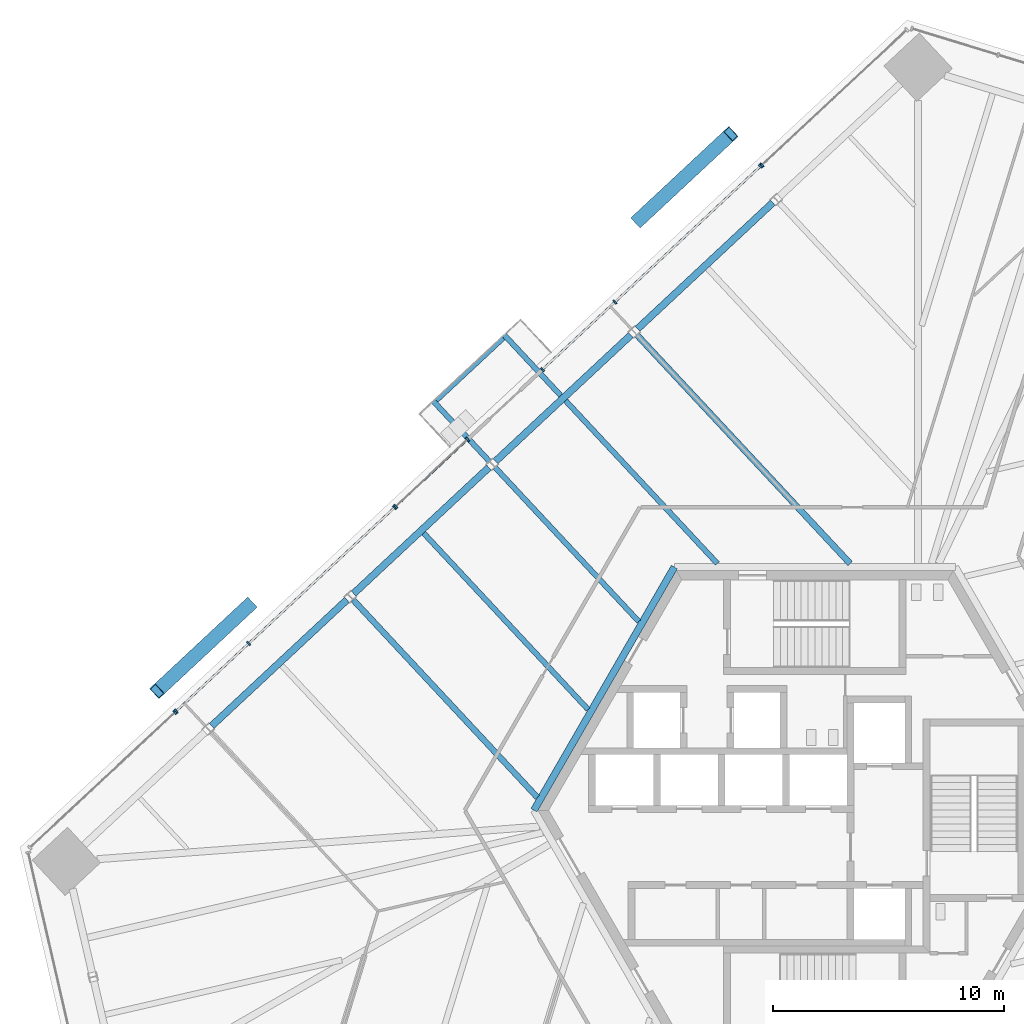
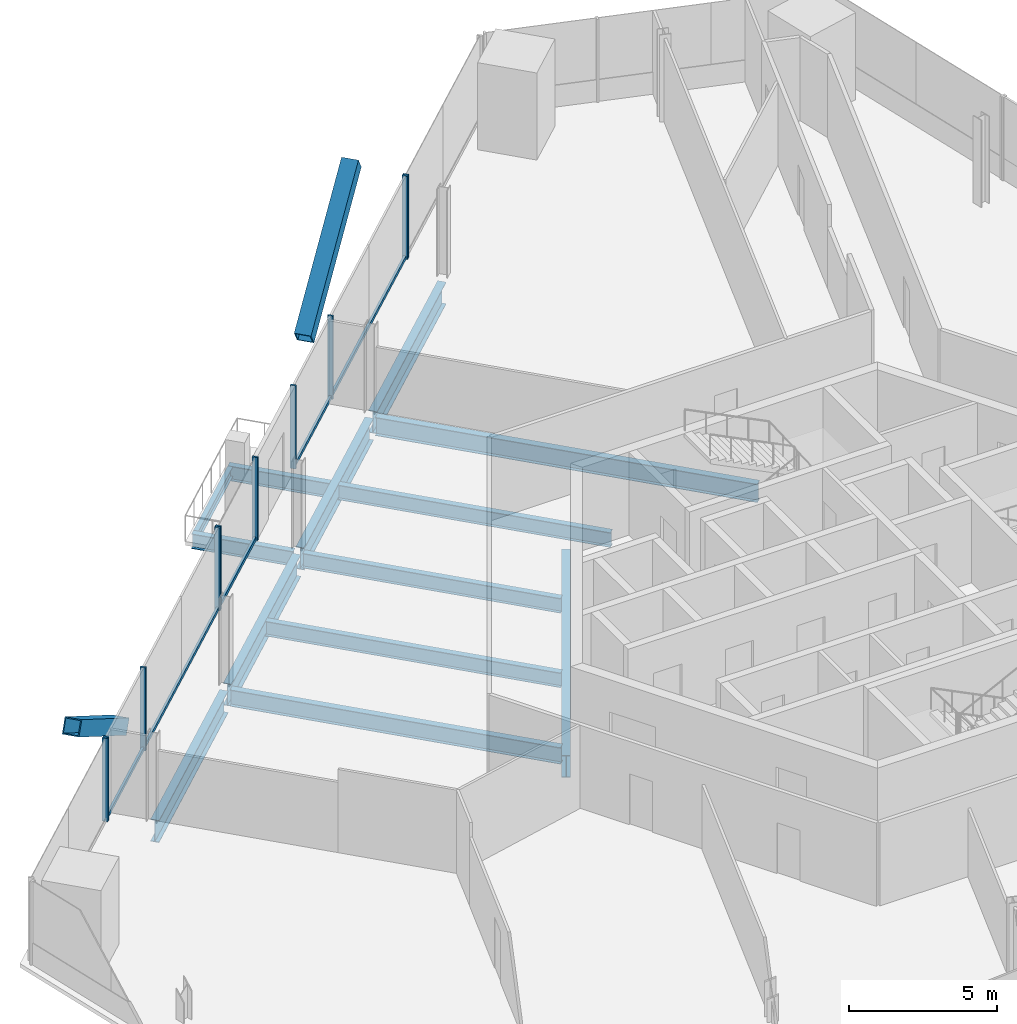
# One storey, part 7 of 17: 17 members, 13 beams, 5 elements without a shape of their own.
"""IFC4 building model written with IfcOpenShell, lengths in metres."""

from ifc_helpers import new_model, si_unit, direction, frame, origin, origin_2d, place, context, subcontext, project, spatial, rectangle, hollow_rectangle, i_section, extrude, source, transform, mapped, material, material_profile, profile_set, type_object, element, aggregate, save


model = new_model("IFC4")

# Units and contexts
model_context = context("Model", 3, precision=1e-05, world=origin(), true_north=direction((0.0, 1.0)))
body_context = subcontext(model_context, "Body", "Model", "MODEL_VIEW")
ifc_project = project(units=[si_unit("LENGTHUNIT", "METRE"), si_unit("AREAUNIT", "SQUARE_METRE"), si_unit("VOLUMEUNIT", "CUBIC_METRE"), si_unit("PLANEANGLEUNIT", "RADIAN"), si_unit("MASSUNIT", "GRAM", prefix="KILO")], contexts=[model_context])

# Site, building, storey
site_placement = place(None, origin())
site = spatial("IfcSite", under=ifc_project, at=site_placement, CompositionType="ELEMENT")
building_placement = place(site_placement, origin())
building = spatial("IfcBuilding", under=site, at=building_placement, Name="Triune Harvest Tower", CompositionType="ELEMENT")
storey_placement = place(building_placement, frame((0.0, 0.0, 123.5)))
storey = spatial("IfcBuildingStorey", under=building, at=storey_placement, Name="L31", CompositionType="ELEMENT", Elevation=123.5)

# Curtain wall, member
ifc_material_1 = material(Name="Aluminium bronze anodised", Category="aluminium")
curtain_wall_type_1 = type_object("IfcCurtainWallType", Name="CW-10 Balcony window wall with insulated spandrel infill", PredefinedType="NOTDEFINED", material=ifc_material_1)
curtain_wall_1_placement = place(storey_placement, origin())
curtain_wall_1 = element("IfcCurtainWall", 1, at=curtain_wall_1_placement, inside=storey, type_object=curtain_wall_type_1, Name="CW-10 B3-F3 L31 run 1001")
ifc_material_2 = material(Name="Aluminium bronze anodised", Category="aluminium")
ifc_material_profile_1 = material_profile(ifc_material_2, rectangle(XDim=0.090087890625, YDim=0.14990234375, at=origin_2d()), Name="TR-6 transom 90 x 150")
ifc_profile_set_1 = profile_set([ifc_material_profile_1], Name="Aluminium bronze anodised")
member_type_1 = type_object("IfcMemberType", Name="TR-6 transom 90 x 150", PredefinedType="USERDEFINED", material=ifc_profile_set_1)
member_1_placement = place(storey_placement, frame((-8.693359375, 22.007568359375, 0.074951171875), z_axis=(-0.731362809486, -0.68198859294, 0.0), x_axis=(0.68198859294, -0.731362809486, 0.0)))
member_1 = element("IfcMember", 2, at=member_1_placement, type_object=member_type_1, Name="CW-10 transom B3-F3 1001.2", ObjectType="TRANSOM", PredefinedType="USERDEFINED", context=body_context, shape_type="SweptSolid", body=[
    extrude(rectangle(XDim=0.090087890625, YDim=0.14990234375, at=origin_2d()), origin(), (0.0, 0.0, 1.0), 4.22265625),
])

ifc_material_3 = material(Name="Aluminium bronze anodised", Category="aluminium")
curtain_wall_type_2 = type_object("IfcCurtainWallType", Name="CW-6 Balcony window wall", PredefinedType="NOTDEFINED", material=ifc_material_3)
curtain_wall_2_placement = place(storey_placement, origin())
curtain_wall_2 = element("IfcCurtainWall", 3, at=curtain_wall_2_placement, inside=storey, type_object=curtain_wall_type_2, Name="CW-6 B3-F3 L31 run 2")
member_2_placement = place(storey_placement, frame((-15.0751953125, 16.056396484375, 0.074951171875), z_axis=(-0.731361458069, -0.681990042194, 0.0), x_axis=(0.681990042194, -0.731361458069, 0.0)))
member_2 = element("IfcMember", 4, at=member_2_placement, type_object=member_type_1, Name="CW-6 transom B3-F3 2.1", ObjectType="TRANSOM", PredefinedType="USERDEFINED", context=body_context, shape_type="SweptSolid", body=[
    extrude(rectangle(XDim=0.090087890625, YDim=0.14990234375, at=origin_2d()), origin(), (0.0, 0.0, 1.0), 4.1884765625),
])

# Beams
ifc_material_4 = material(Name="Steel ASTM A992 Gr 50", Category="steel")
ifc_material_profile_2 = material_profile(ifc_material_4, i_section(OverallWidth=0.3046875, OverallDepth=0.914306640625, WebThickness=0.0166015625, FlangeThickness=0.02587890625, at=origin_2d()), Name="W36x160")
ifc_profile_set_2 = profile_set([ifc_material_profile_2], Name="Steel ASTM A992 Gr 50")
beam_type_1 = type_object("IfcBeamType", Name="CG-1 Core ring girder W36x160", PredefinedType="BEAM", material=ifc_profile_set_2)
shared_shape_1 = source(origin(), body_context, "Body", "SweptSolid", [
    extrude(i_section(OverallWidth=0.3046875, OverallDepth=0.914306640625, WebThickness=0.0166015625, FlangeThickness=0.02587890625, at=origin_2d()), origin(), (0.0, 0.0, 1.0), 12.176025390625),
])
beam_1_placement = place(storey_placement, frame((-6.087890625, 10.544677734375, -0.6171875), z_axis=(-0.5000099932, -0.866019634131, 0.0), x_axis=(0.866019634131, -0.5000099932, 0.0)))
element("IfcBeam", 5, at=beam_1_placement, inside=storey, type_object=beam_type_1, Name="beam/L31/CG3", PredefinedType="BEAM", context=body_context, shape_type="MappedRepresentation", body=[
    mapped(shared_shape_1, transform((0.0, 0.0, 0.0), scale=1.0)),
])
ifc_material_5 = material(Name="Steel ASTM A992 Gr 50", Category="steel")
ifc_material_profile_3 = material_profile(ifc_material_5, i_section(OverallWidth=0.3046875, OverallDepth=0.914306640625, WebThickness=0.0166015625, FlangeThickness=0.02587890625, at=origin_2d()), Name="W36x160")
ifc_profile_set_3 = profile_set([ifc_material_profile_3], Name="Steel ASTM A992 Gr 50")
beam_type_2 = type_object("IfcBeamType", Name="SB-1 Spandrel beam W36x160", PredefinedType="SPANDREL", material=ifc_profile_set_3)
shared_shape_2 = source(origin(), body_context, "Body", "SweptSolid", [
    extrude(i_section(OverallWidth=0.3046875, OverallDepth=0.914306640625, WebThickness=0.0166015625, FlangeThickness=0.02587890625, at=origin_2d()), origin(), (0.0, 0.0, 1.0), 8.018310546875),
])
for number, where, z_axis, x_axis, name in (
    (6, (-7.9755859375, 20.600341796875, -0.6171875), (-0.731353889465, -0.681998158623, 0.0), (0.681998158623, -0.731353889465, 0.0), "beam/L31/SB11"),
    (7, (-14.129638671875, 14.86181640625, -0.6171875), (-0.731353889465, -0.681998158623, 0.0), (0.681998158623, -0.731353889465, 0.0), "beam/L31/SB12"),
):
    element("IfcBeam", number, at=place(storey_placement, frame(where, z_axis=z_axis, x_axis=x_axis)), inside=storey, type_object=beam_type_2, Name=name, PredefinedType="SPANDREL", context=body_context, shape_type="MappedRepresentation", body=[
        mapped(shared_shape_2, transform((0.0, 0.0, 0.0), scale=1.0)),
    ])
shared_shape_3 = source(origin(), body_context, "Body", "SweptSolid", [
    extrude(i_section(OverallWidth=0.3046875, OverallDepth=0.914306640625, WebThickness=0.0166015625, FlangeThickness=0.02587890625, at=origin_2d()), origin(), (0.0, 0.0, 1.0), 8.01806640625),
])
for number, where, z_axis, x_axis, name in (
    (8, (-1.82177734375, 26.339111328125, -0.6171875), (-0.731339727109, -0.682013345582, 0.0), (0.682013345582, -0.731339727109, 0.0), "beam/L31/SB10"),
    (9, (-20.28369140625, 9.123046875, -0.6171875), (-0.731339727109, -0.682013345582, 0.0), (0.682013345582, -0.731339727109, 0.0), "beam/L31/SB13"),
):
    element("IfcBeam", number, at=place(storey_placement, frame(where, z_axis=z_axis, x_axis=x_axis)), inside=storey, type_object=beam_type_2, Name=name, PredefinedType="SPANDREL", context=body_context, shape_type="MappedRepresentation", body=[
        mapped(shared_shape_3, transform((0.0, 0.0, 0.0), scale=1.0)),
    ])
ifc_material_6 = material(Name="Steel ASTM A992 Gr 50", Category="steel")
ifc_material_profile_4 = material_profile(ifc_material_6, i_section(OverallWidth=0.2666015625, OverallDepth=0.7568359375, WebThickness=0.013916015625, FlangeThickness=0.019287109375, at=origin_2d()), Name="W30x108")
ifc_profile_set_4 = profile_set([ifc_material_profile_4], Name="Steel ASTM A992 Gr 50")
beam_type_3 = type_object("IfcBeamType", Name="JT-5 Floor joist W30x108", PredefinedType="JOIST", material=ifc_profile_set_4)
shared_shape_4 = source(origin(), body_context, "Body", "SweptSolid", [
    extrude(i_section(OverallWidth=0.2666015625, OverallDepth=0.7568359375, WebThickness=0.013916015625, FlangeThickness=0.019287109375, at=origin_2d()), origin(), (0.0, 0.0, 1.0), 13.535400390625),
])
beam_2_placement = place(storey_placement, frame((-7.700927734375, 20.59619140625, -0.53857421875), z_axis=(0.681991710808, -0.731359902093, 0.0), x_axis=(0.731359902093, 0.681991710808, 0.0)))
element("IfcBeam", 10, at=beam_2_placement, inside=storey, type_object=beam_type_3, Name="beam/L31/JT17", PredefinedType="JOIST", context=body_context, shape_type="MappedRepresentation", body=[
    mapped(shared_shape_4, transform((0.0, 0.0, 0.0), scale=1.0)),
])
ifc_material_7 = material(Name="Steel ASTM A992 Gr 50", Category="steel")
ifc_material_profile_5 = material_profile(ifc_material_7, i_section(OverallWidth=0.22900390625, OverallDepth=0.612060546875, WebThickness=0.011962890625, FlangeThickness=0.01953125, at=origin_2d()), Name="W24x84")
ifc_profile_set_5 = profile_set([ifc_material_profile_5], Name="Steel ASTM A992 Gr 50")
beam_type_4 = type_object("IfcBeamType", Name="JT-3 Floor joist W24x84", PredefinedType="JOIST", material=ifc_profile_set_5)
shared_shape_5 = source(origin(), body_context, "Body", "SweptSolid", [
    extrude(i_section(OverallWidth=0.22900390625, OverallDepth=0.612060546875, WebThickness=0.011962890625, FlangeThickness=0.01953125, at=origin_2d()), origin(), (0.0, 0.0, 1.0), 9.64990234375),
])
beam_3_placement = place(storey_placement, frame((-10.8037109375, 17.754638671875, -0.466064453125), z_axis=(0.681982850357, -0.731368164346, 0.0), x_axis=(0.731368164346, 0.681982850357, 0.0)))
element("IfcBeam", 11, at=beam_3_placement, inside=storey, type_object=beam_type_4, Name="beam/L31/JT18", PredefinedType="JOIST", context=body_context, shape_type="MappedRepresentation", body=[
    mapped(shared_shape_5, transform((0.0, 0.0, 0.0), scale=1.0)),
])
shared_shape_6 = source(origin(), body_context, "Body", "SweptSolid", [
    extrude(i_section(OverallWidth=0.22900390625, OverallDepth=0.612060546875, WebThickness=0.011962890625, FlangeThickness=0.01953125, at=origin_2d()), origin(), (0.0, 0.0, 1.0), 9.12890625),
])
beam_4_placement = place(storey_placement, frame((-13.854736328125, 14.857421875, -0.466064453125), z_axis=(0.681991349896, -0.731360238642, 0.0), x_axis=(0.731360238642, 0.681991349896, 0.0)))
element("IfcBeam", 12, at=beam_4_placement, inside=storey, type_object=beam_type_4, Name="beam/L31/JT19", PredefinedType="JOIST", context=body_context, shape_type="MappedRepresentation", body=[
    mapped(shared_shape_6, transform((0.0, 0.0, 0.0), scale=1.0)),
])
shared_shape_7 = source(origin(), body_context, "Body", "SweptSolid", [
    extrude(i_section(OverallWidth=0.22900390625, OverallDepth=0.612060546875, WebThickness=0.011962890625, FlangeThickness=0.01953125, at=origin_2d()), origin(), (0.0, 0.0, 1.0), 10.453369140625),
])
beam_5_placement = place(storey_placement, frame((-16.957763671875, 12.01611328125, -0.466064453125), z_axis=(0.681989491602, -0.731361971492, 0.0), x_axis=(0.731361971492, 0.681989491602, 0.0)))
element("IfcBeam", 13, at=beam_5_placement, inside=storey, type_object=beam_type_4, Name="beam/L31/JT20", PredefinedType="JOIST", context=body_context, shape_type="MappedRepresentation", body=[
    mapped(shared_shape_7, transform((0.0, 0.0, 0.0), scale=1.0)),
])
ifc_material_8 = material(Name="Steel ASTM A992 Gr 50", Category="steel")
ifc_material_profile_6 = material_profile(ifc_material_8, i_section(OverallWidth=0.253662109375, OverallDepth=0.683349609375, WebThickness=0.012451171875, FlangeThickness=0.01904296875, at=origin_2d()), Name="W27x94")
ifc_profile_set_6 = profile_set([ifc_material_profile_6], Name="Steel ASTM A992 Gr 50")
beam_type_5 = type_object("IfcBeamType", Name="JT-4 Floor joist W27x94", PredefinedType="JOIST", material=ifc_profile_set_6)
shared_shape_8 = source(origin(), body_context, "Body", "SweptSolid", [
    extrude(i_section(OverallWidth=0.253662109375, OverallDepth=0.683349609375, WebThickness=0.012451171875, FlangeThickness=0.01904296875, at=origin_2d()), origin(), (0.0, 0.0, 1.0), 11.70166015625),
])
beam_6_placement = place(storey_placement, frame((-20.0087890625, 9.118896484375, -0.501708984375), z_axis=(0.681994076682, -0.731357695913, 0.0), x_axis=(0.731357695913, 0.681994076682, 0.0)))
element("IfcBeam", 14, at=beam_6_placement, inside=storey, type_object=beam_type_5, Name="beam/L31/JT21", PredefinedType="JOIST", context=body_context, shape_type="MappedRepresentation", body=[
    mapped(shared_shape_8, transform((0.0, 0.0, 0.0), scale=1.0)),
])

# Members
ifc_material_9 = material(Name="Steel ASTM A572 Gr 50", Category="steel")
ifc_material_profile_7 = material_profile(ifc_material_9, hollow_rectangle(XDim=0.60009765625, YDim=0.60009765625, WallThickness=0.0400390625, at=origin_2d()), Name="Box 600x600x40")
ifc_profile_set_7 = profile_set([ifc_material_profile_7], Name="Steel ASTM A572 Gr 50")
member_type_2 = type_object("IfcMemberType", Name="BR-2 Brace Box 600x600x40", PredefinedType="BRACE", material=ifc_profile_set_7)
shared_shape_9 = source(origin(), body_context, "Body", "SweptSolid", [
    extrude(hollow_rectangle(XDim=0.60009765625, YDim=0.60009765625, WallThickness=0.0400390625, at=origin_2d()), origin(), (0.0, 0.0, 1.0), 6.566650390625),
])
for number, where, z_axis, x_axis, name in (
    (15, (-24.498291015625, 8.91015625, 0.0), (-0.611639023518, -0.570369841334, 0.548248072506), (0.682002980671, -0.731349392805, 0.0), "brace/B3-F3/d1/8"),
    (16, (-7.65673828125, 25.572021484375, 0.0), (0.611639023518, 0.570369841334, 0.548248072506), (-0.682002980671, 0.731349392805, 0.0), "brace/B3-F3/d2/8"),
):
    element("IfcMember", number, at=place(storey_placement, frame(where, z_axis=z_axis, x_axis=x_axis)), inside=storey, type_object=member_type_2, Name=name, PredefinedType="BRACE", context=body_context, shape_type="MappedRepresentation", body=[
        mapped(shared_shape_9, transform((0.0, 0.0, 0.0), scale=1.0)),
    ])

# Curtain wall, member
curtain_wall_3_placement = place(storey_placement, origin())
curtain_wall_3 = element("IfcCurtainWall", 17, at=curtain_wall_3_placement, inside=storey, type_object=curtain_wall_type_2, Name="CW-6 B3-F3 L31 run 1")
ifc_material_10 = material(Name="Aluminium bronze anodised", Category="aluminium")
ifc_material_profile_8 = material_profile(ifc_material_10, rectangle(XDim=0.199951171875, YDim=0.074951171875, at=origin_2d()), Name="MU-6 mullion 75 x 200")
ifc_profile_set_8 = profile_set([ifc_material_profile_8], Name="Aluminium bronze anodised")
member_type_3 = type_object("IfcMemberType", Name="MU-6 mullion 75 x 200", PredefinedType="MULLION", material=ifc_profile_set_8)
shared_shape_10 = source(origin(), body_context, "Body", "SweptSolid", [
    extrude(rectangle(XDim=0.199951171875, YDim=0.074951171875, at=origin_2d()), origin(), (0.0, 0.0, 1.0), 3.43994140625),
])
member_3_placement = place(storey_placement, frame((-2.297119140625, 27.97216796875, 0.0), z_axis=(0.0, 0.0, 1.0), x_axis=(0.681997698719, -0.731354318331, 0.0)))
member_3 = element("IfcMember", 18, at=member_3_placement, type_object=member_type_3, Name="CW-6 mullion B3-F3 1.3", PredefinedType="MULLION", context=body_context, shape_type="MappedRepresentation", body=[
    mapped(shared_shape_10, transform((0.0, 0.0, 0.0), scale=1.0)),
])
aggregate(curtain_wall_3, [member_3])

# Member
member_4_placement = place(storey_placement, frame((-2.35205078125, 27.921142578125, 0.0), z_axis=(0.0, 0.0, 1.0), x_axis=(0.681999404494, -0.73135272767, 0.0)))
member_4 = element("IfcMember", 19, at=member_4_placement, type_object=member_type_3, Name="CW-10 mullion B3-F3 1001.1", PredefinedType="MULLION", context=body_context, shape_type="MappedRepresentation", body=[
    mapped(shared_shape_10, transform((0.0, 0.0, 0.0), scale=1.0)),
])

member_5_placement = place(storey_placement, frame((-8.666015625, 22.033203125, 0.0), z_axis=(0.0, 0.0, 1.0), x_axis=(0.681999404494, -0.73135272767, 0.0)))
member_5 = element("IfcMember", 20, at=member_5_placement, type_object=member_type_3, Name="CW-10 mullion B3-F3 1001.3", PredefinedType="MULLION", context=body_context, shape_type="MappedRepresentation", body=[
    mapped(shared_shape_10, transform((0.0, 0.0, 0.0), scale=1.0)),
])

member_6_placement = place(storey_placement, frame((-11.80908203125, 19.10205078125, 0.0), z_axis=(0.0, 0.0, 1.0), x_axis=(0.681999404494, -0.73135272767, 0.0)))
member_6 = element("IfcMember", 21, at=member_6_placement, type_object=member_type_3, Name="CW-10 mullion B3-F3 1001.4", PredefinedType="MULLION", context=body_context, shape_type="MappedRepresentation", body=[
    mapped(shared_shape_10, transform((0.0, 0.0, 0.0), scale=1.0)),
])

member_7_placement = place(storey_placement, frame((-15.0478515625, 16.08203125, 0.0), z_axis=(0.0, 0.0, 1.0), x_axis=(0.682006929777, -0.731345710138, 0.0)))
member_7 = element("IfcMember", 22, at=member_7_placement, type_object=member_type_3, Name="CW-6 mullion B3-F3 2.1", PredefinedType="MULLION", context=body_context, shape_type="MappedRepresentation", body=[
    mapped(shared_shape_10, transform((0.0, 0.0, 0.0), scale=1.0)),
])

member_8_placement = place(storey_placement, frame((-18.165771484375, 13.17431640625, 0.0), z_axis=(0.0, 0.0, 1.0), x_axis=(0.682006929777, -0.731345710138, 0.0)))
member_8 = element("IfcMember", 23, at=member_8_placement, type_object=member_type_3, Name="CW-6 mullion B3-F3 2.2", PredefinedType="MULLION", context=body_context, shape_type="MappedRepresentation", body=[
    mapped(shared_shape_10, transform((0.0, 0.0, 0.0), scale=1.0)),
])

aggregate(curtain_wall_2, [member_7, member_8, member_2])

# Curtain wall, members
curtain_wall_4_placement = place(storey_placement, origin())
curtain_wall_4 = element("IfcCurtainWall", 24, at=curtain_wall_4_placement, inside=storey, type_object=curtain_wall_type_1, Name="CW-10 B3-F3 L31 run 1002")
member_9_placement = place(storey_placement, frame((-18.220703125, 13.123046875, 0.0), z_axis=(0.0, 0.0, 1.0), x_axis=(0.681996794313, -0.731355161701, 0.0)))
member_9 = element("IfcMember", 25, at=member_9_placement, type_object=member_type_3, Name="CW-10 mullion B3-F3 1002.1", PredefinedType="MULLION", context=body_context, shape_type="MappedRepresentation", body=[
    mapped(shared_shape_10, transform((0.0, 0.0, 0.0), scale=1.0)),
])
member_10_placement = place(storey_placement, frame((-24.5390625, 7.231201171875, 0.0), z_axis=(0.0, 0.0, 1.0), x_axis=(0.681996794313, -0.731355161701, 0.0)))
member_10 = element("IfcMember", 26, at=member_10_placement, type_object=member_type_3, Name="CW-10 mullion B3-F3 1002.3", PredefinedType="MULLION", context=body_context, shape_type="MappedRepresentation", body=[
    mapped(shared_shape_10, transform((0.0, 0.0, 0.0), scale=1.0)),
])
member_11_placement = place(storey_placement, frame((-27.6845703125, 4.298095703125, 0.0), z_axis=(0.0, 0.0, 1.0), x_axis=(0.681996794313, -0.731355161701, 0.0)))
member_11 = element("IfcMember", 27, at=member_11_placement, type_object=member_type_3, Name="CW-10 mullion B3-F3 1002.4", PredefinedType="MULLION", context=body_context, shape_type="MappedRepresentation", body=[
    mapped(shared_shape_10, transform((0.0, 0.0, 0.0), scale=1.0)),
])

# Curtain wall, member
curtain_wall_5_placement = place(storey_placement, origin())
curtain_wall_5 = element("IfcCurtainWall", 28, at=curtain_wall_5_placement, inside=storey, type_object=curtain_wall_type_2, Name="CW-6 B3-F3 L31 run 2002")
member_12_placement = place(storey_placement, frame((-27.7392578125, 4.246826171875, 0.0), z_axis=(0.0, 0.0, 1.0), x_axis=(0.681997510149, -0.731354494176, 0.0)))
member_12 = element("IfcMember", 29, at=member_12_placement, type_object=member_type_3, Name="CW-6 mullion B3-F3 2002.1", PredefinedType="MULLION", context=body_context, shape_type="MappedRepresentation", body=[
    mapped(shared_shape_10, transform((0.0, 0.0, 0.0), scale=1.0)),
])
aggregate(curtain_wall_5, [member_12])

# Beam
ifc_material_11 = material(Name="Steel ASTM A992 Gr 50", Category="steel")
ifc_material_profile_9 = material_profile(ifc_material_11, i_section(OverallWidth=0.22900390625, OverallDepth=0.612060546875, WebThickness=0.011962890625, FlangeThickness=0.01953125, at=origin_2d()), Name="W24x84")
ifc_profile_set_9 = profile_set([ifc_material_profile_9], Name="Steel ASTM A992 Gr 50")
beam_type_6 = type_object("IfcBeamType", Name="BJ-3 Balcony cantilever joist W24x84", PredefinedType="JOIST", material=ifc_profile_set_9)
shared_shape_11 = source(origin(), body_context, "Body", "SweptSolid", [
    extrude(i_section(OverallWidth=0.22900390625, OverallDepth=0.612060546875, WebThickness=0.011962890625, FlangeThickness=0.01953125, at=origin_2d()), origin(), (0.0, 0.0, 1.0), 3.597412109375),
])
beam_7_placement = place(storey_placement, frame((-11.01171875, 17.9775390625, -0.466064453125), z_axis=(-0.681972402572, 0.73137790651, 0.0), x_axis=(-0.73137790651, -0.681972402572, 0.0)))
element("IfcBeam", 30, at=beam_7_placement, inside=storey, type_object=beam_type_6, Name="Balcony cantilever joist B3-F3 L31.6a", PredefinedType="JOIST", context=body_context, shape_type="MappedRepresentation", body=[
    mapped(shared_shape_11, transform((0.0, 0.0, 0.0), scale=1.0)),
])

# Member
shared_shape_12 = source(origin(), body_context, "Body", "SweptSolid", [
    extrude(rectangle(XDim=0.090087890625, YDim=0.14990234375, at=origin_2d()), origin(), (0.0, 0.0, 1.0), 8.55810546875),
])
member_13_placement = place(storey_placement, frame((-2.37939453125, 27.8955078125, 0.074951171875), z_axis=(-0.73135212596, -0.682000049746, 0.0), x_axis=(0.682000049746, -0.73135212596, 0.0)))
member_13 = element("IfcMember", 31, at=member_13_placement, type_object=member_type_1, Name="CW-10 transom B3-F3 1001.1", ObjectType="TRANSOM", PredefinedType="USERDEFINED", context=body_context, shape_type="MappedRepresentation", body=[
    mapped(shared_shape_12, transform((0.0, 0.0, 0.0), scale=1.0)),
])

aggregate(curtain_wall_1, [member_4, member_5, member_6, member_13, member_1])

# Beams
shared_shape_13 = source(origin(), body_context, "Body", "SweptSolid", [
    extrude(i_section(OverallWidth=0.22900390625, OverallDepth=0.612060546875, WebThickness=0.011962890625, FlangeThickness=0.01953125, at=origin_2d()), origin(), (0.0, 0.0, 1.0), 3.597900390625),
])
beam_8_placement = place(storey_placement, frame((-14.088623046875, 15.108154296875, -0.466064453125), z_axis=(-0.681974854562, 0.731375620147, 0.0), x_axis=(-0.731375620147, -0.681974854562, 0.0)))
element("IfcBeam", 32, at=beam_8_placement, inside=storey, type_object=beam_type_6, Name="Balcony cantilever joist B3-F3 L31.6b", PredefinedType="JOIST", context=body_context, shape_type="MappedRepresentation", body=[
    mapped(shared_shape_13, transform((0.0, 0.0, 0.0), scale=1.0)),
])
ifc_material_12 = material(Name="Steel ASTM A992 Gr 50", Category="steel")
ifc_material_profile_10 = material_profile(ifc_material_12, i_section(OverallWidth=0.180908203125, OverallDepth=0.41650390625, WebThickness=0.010986328125, FlangeThickness=0.01806640625, at=origin_2d()), Name="W16x57")
ifc_profile_set_10 = profile_set([ifc_material_profile_10], Name="Steel ASTM A992 Gr 50")
beam_type_7 = type_object("IfcBeamType", Name="BE-1 balcony edge beam W16x57", PredefinedType="BEAM", material=ifc_profile_set_10)
shared_shape_14 = source(origin(), body_context, "Body", "SweptSolid", [
    extrude(i_section(OverallWidth=0.180908203125, OverallDepth=0.41650390625, WebThickness=0.010986328125, FlangeThickness=0.01806640625, at=origin_2d()), origin(), (0.0, 0.0, 1.0), 3.97802734375),
])
beam_9_placement = place(storey_placement, frame((-16.396728515625, 17.75146484375, -0.368408203125), z_axis=(0.73137764803, 0.681972679777, 0.0), x_axis=(-0.681972679777, 0.73137764803, 0.0)))
element("IfcBeam", 33, at=beam_9_placement, inside=storey, type_object=beam_type_7, Name="Balcony edge beam B3-F3 L31.6", PredefinedType="BEAM", context=body_context, shape_type="MappedRepresentation", body=[
    mapped(shared_shape_14, transform((0.0, 0.0, 0.0), scale=1.0)),
])

# Member
shared_shape_15 = source(origin(), body_context, "Body", "SweptSolid", [
    extrude(rectangle(XDim=0.090087890625, YDim=0.14990234375, at=origin_2d()), origin(), (0.0, 0.0, 1.0), 8.564453125),
])
member_14_placement = place(storey_placement, frame((-18.248046875, 13.09765625, 0.074951171875), z_axis=(-0.731362332913, -0.681989104015, 0.0), x_axis=(0.681989104015, -0.731362332913, 0.0)))
member_14 = element("IfcMember", 34, at=member_14_placement, type_object=member_type_1, Name="CW-10 transom B3-F3 1002.1", ObjectType="TRANSOM", PredefinedType="USERDEFINED", context=body_context, shape_type="MappedRepresentation", body=[
    mapped(shared_shape_15, transform((0.0, 0.0, 0.0), scale=1.0)),
])

shared_shape_16 = source(origin(), body_context, "Body", "SweptSolid", [
    extrude(rectangle(XDim=0.090087890625, YDim=0.14990234375, at=origin_2d()), origin(), (0.0, 0.0, 1.0), 4.225830078125),
])
member_15_placement = place(storey_placement, frame((-24.56640625, 7.20556640625, 0.074951171875), z_axis=(-0.731374117532, -0.68197646602, 0.0), x_axis=(0.68197646602, -0.731374117532, 0.0)))
member_15 = element("IfcMember", 35, at=member_15_placement, type_object=member_type_1, Name="CW-10 transom B3-F3 1002.2", ObjectType="TRANSOM", PredefinedType="USERDEFINED", context=body_context, shape_type="MappedRepresentation", body=[
    mapped(shared_shape_16, transform((0.0, 0.0, 0.0), scale=1.0)),
])

aggregate(curtain_wall_4, [member_9, member_10, member_11, member_14, member_15])

save(model, "model.ifc")
